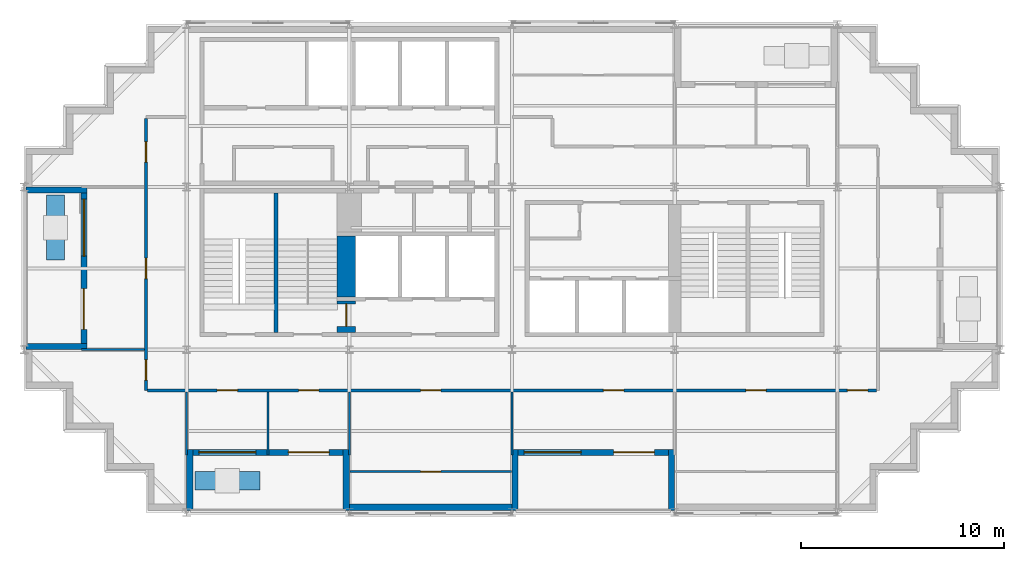
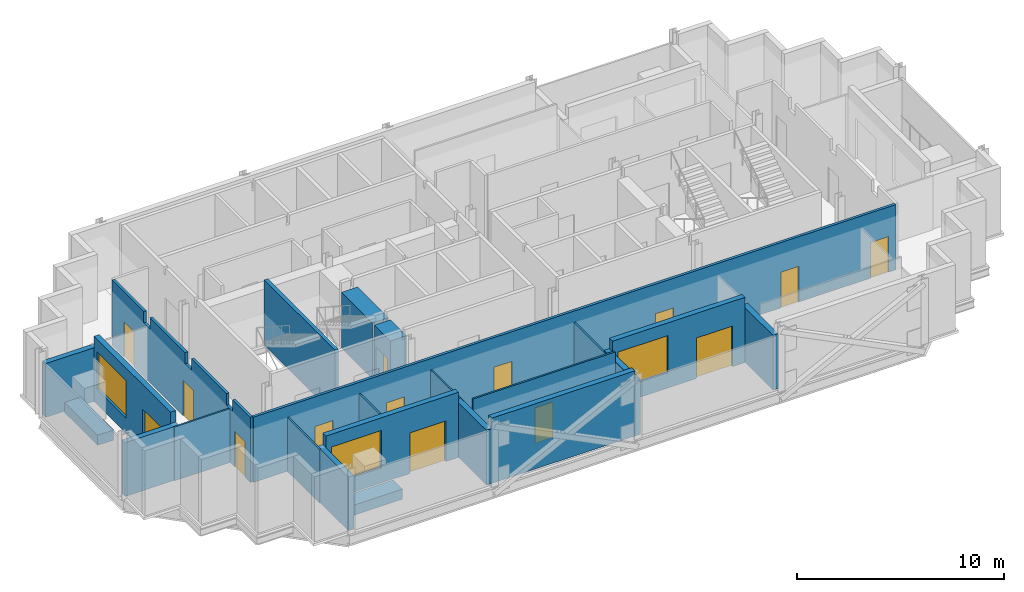
# One storey, part 4 of 10: 23 walls, 14 doors, 3 windows, 17 openings.
"""IFC4 building model written with IfcOpenShell, lengths in metres."""

from ifc_helpers import new_model, si_unit, direction, frame, frame_2d, origin, place, context, subcontext, project, spatial, polyline, rectangle, outline, extrude, material, layer, layer_set, type_object, element, fill, save


model = new_model("IFC4")

# Units and contexts
model_context = context("Model", 3, precision=1e-05, world=origin(), true_north=direction((0.0, 1.0)))
body_context = subcontext(model_context, "Body", "Model", "MODEL_VIEW")
ifc_project = project(units=[si_unit("LENGTHUNIT", "METRE"), si_unit("AREAUNIT", "SQUARE_METRE"), si_unit("VOLUMEUNIT", "CUBIC_METRE"), si_unit("PLANEANGLEUNIT", "RADIAN"), si_unit("MASSUNIT", "GRAM", prefix="KILO")], contexts=[model_context])

# Site, building, storey
site_placement = place(None, origin())
site = spatial("IfcSite", under=ifc_project, at=site_placement, CompositionType="ELEMENT")
building_placement = place(site_placement, origin())
building = spatial("IfcBuilding", under=site, at=building_placement, Name="Immortelle Media Tower", CompositionType="ELEMENT")
storey_placement = place(building_placement, frame((0.0, 0.0, 259.0)))
storey = spatial("IfcBuildingStorey", under=building, at=storey_placement, Name="L56", CompositionType="ELEMENT", Elevation=259.0)

# Wall, openings, doors
ifc_material_1 = material(Name="Fire-rated gypsum board", Category="gypsum")
ifc_layer_1 = layer(ifc_material_1, 0.012451171875)
ifc_material_2 = material(Name="Steel ASTM A653 SS Gr 50 stud frame with mineral wool", Category="steel")
ifc_layer_2 = layer(ifc_material_2, 0.125)
ifc_layer_3 = layer(ifc_material_1, 0.012451171875)
ifc_layer_set_1 = layer_set([ifc_layer_1, ifc_layer_2, ifc_layer_3], Name="Steel ASTM A653 SS Gr 50 stud frame with mineral wool")
wall_type_1 = type_object("IfcWallType", Name="Corridor wall 150", PredefinedType="PARTITIONING", material=ifc_layer_set_1)
wall_1_placement = place(storey_placement, frame((6.074951171875, 6.0, 0.0), z_axis=(0.0, 0.0, 1.0), x_axis=(1.0, 0.0, 0.0)))
wall_1 = element("IfcWall", 1, at=wall_1_placement, inside=storey, type_object=wall_type_1, Name="Partition L56-010", PredefinedType="PARTITIONING", context=body_context, shape_type="SweptSolid", body=[
    extrude(rectangle(XDim=35.85009765625, YDim=0.14990234375, at=frame_2d((17.925048828125, 0.0))), origin(), (0.0, 0.0, 1.0), 3.85009765625),
])
opening_1_placement = place(wall_1_placement, frame((14.425048828125, 0.0, 0.0), z_axis=(0.0, 0.0, 1.0), x_axis=(-1.0, 0.0, 0.0)))
opening_1 = element("IfcOpeningElement", 2, at=opening_1_placement, cuts=wall_1, Name="Opening X2-F001", PredefinedType="OPENING", context=body_context, shape_type="SweptSolid", body=[
    extrude(rectangle(XDim=1.0, YDim=2.10009765625, at=frame_2d((0.5, 1.050048828125))), frame((0.0, 0.0849609375, 0.0), z_axis=(0.0, -1.0, 0.0), x_axis=(1.0, 0.0, 0.0)), (0.0, 0.0, 1.0), 0.169921875),
])
opening_2_placement = place(wall_1_placement, frame((30.425048828125, 0.0, 0.0), z_axis=(0.0, 0.0, 1.0), x_axis=(-1.0, 0.0, 0.0)))
opening_2 = element("IfcOpeningElement", 3, at=opening_2_placement, cuts=wall_1, Name="Opening X2-F003", PredefinedType="OPENING", context=body_context, shape_type="SweptSolid", body=[
    extrude(rectangle(XDim=1.0, YDim=2.10009765625, at=frame_2d((0.5, 1.050048828125))), frame((0.0, 0.0849609375, 0.0), z_axis=(0.0, -1.0, 0.0), x_axis=(1.0, 0.0, 0.0)), (0.0, 0.0, 1.0), 0.169921875),
])
opening_3_placement = place(wall_1_placement, frame((4.425048828125, 0.0, 0.0), z_axis=(0.0, 0.0, 1.0), x_axis=(-1.0, 0.0, 0.0)))
opening_3 = element("IfcOpeningElement", 4, at=opening_3_placement, cuts=wall_1, Name="Opening X2-F005", PredefinedType="OPENING", context=body_context, shape_type="SweptSolid", body=[
    extrude(rectangle(XDim=1.0, YDim=2.10009765625, at=frame_2d((0.5, 1.050048828125))), frame((0.0, 0.0849609375, 0.0), z_axis=(0.0, -1.0, 0.0), x_axis=(1.0, 0.0, 0.0)), (0.0, 0.0, 1.0), 0.169921875),
])
opening_4_placement = place(wall_1_placement, frame((8.425048828125, 0.0, 0.0), z_axis=(0.0, 0.0, 1.0), x_axis=(-1.0, 0.0, 0.0)))
opening_4 = element("IfcOpeningElement", 5, at=opening_4_placement, cuts=wall_1, Name="Opening X2-F006", PredefinedType="OPENING", context=body_context, shape_type="SweptSolid", body=[
    extrude(rectangle(XDim=1.0, YDim=2.10009765625, at=frame_2d((0.5, 1.050048828125))), frame((0.0, 0.0849609375, 0.0), z_axis=(0.0, -1.0, 0.0), x_axis=(1.0, 0.0, 0.0)), (0.0, 0.0, 1.0), 0.169921875),
])
opening_5_placement = place(wall_1_placement, frame((23.425048828125, 0.0, 0.0), z_axis=(0.0, 0.0, 1.0), x_axis=(-1.0, 0.0, 0.0)))
opening_5 = element("IfcOpeningElement", 6, at=opening_5_placement, cuts=wall_1, Name="Opening X2-F007", PredefinedType="OPENING", context=body_context, shape_type="SweptSolid", body=[
    extrude(rectangle(XDim=1.0, YDim=2.10009765625, at=frame_2d((0.5, 1.050048828125))), frame((0.0, 0.0849609375, 0.0), z_axis=(0.0, -1.0, 0.0), x_axis=(1.0, 0.0, 0.0)), (0.0, 0.0, 1.0), 0.169921875),
])
opening_6_placement = place(wall_1_placement, frame((35.425048828125, 0.0, 0.0), z_axis=(0.0, 0.0, 1.0), x_axis=(-1.0, 0.0, 0.0)))
opening_6 = element("IfcOpeningElement", 7, at=opening_6_placement, cuts=wall_1, Name="Opening X2-F009", PredefinedType="OPENING", context=body_context, shape_type="SweptSolid", body=[
    extrude(rectangle(XDim=1.0, YDim=2.10009765625, at=frame_2d((0.5, 1.050048828125))), frame((0.0, 0.0849609375, 0.0), z_axis=(0.0, -1.0, 0.0), x_axis=(1.0, 0.0, 0.0)), (0.0, 0.0, 1.0), 0.169921875),
])
ifc_material_3 = material(Name="Timber veneered door leaf, galvanised steel frame ASTM A653", Category="steel")
door_type_1 = type_object("IfcDoorType", Name="Room door 1000 x 2100", OperationType="NOTDEFINED", PredefinedType="DOOR", material=ifc_material_3)
door_1_placement = place(opening_1_placement, origin())
door_1 = element("IfcDoor", 8, at=door_1_placement, inside=storey, type_object=door_type_1, Name="Door X2-F001", OperationType="SINGLE_SWING_RIGHT", OverallHeight=2.10009765625, OverallWidth=1.0, PredefinedType="DOOR", context=body_context, shape_type="SweptSolid", body=[
    extrude(rectangle(XDim=1.0, YDim=2.10009765625, at=frame_2d((0.5, 1.050048828125))), frame((0.0, 0.02490234375, 0.0), z_axis=(0.0, -1.0, 0.0), x_axis=(1.0, 0.0, 0.0)), (0.0, 0.0, 1.0), 0.050048828125),
])
fill(opening_1, door_1)
door_2_placement = place(opening_2_placement, origin())
door_2 = element("IfcDoor", 9, at=door_2_placement, inside=storey, type_object=door_type_1, Name="Door X2-F003", OperationType="SINGLE_SWING_RIGHT", OverallHeight=2.10009765625, OverallWidth=1.0, PredefinedType="DOOR", context=body_context, shape_type="SweptSolid", body=[
    extrude(rectangle(XDim=1.0, YDim=2.10009765625, at=frame_2d((0.5, 1.050048828125))), frame((0.0, 0.02490234375, 0.0), z_axis=(0.0, -1.0, 0.0), x_axis=(1.0, 0.0, 0.0)), (0.0, 0.0, 1.0), 0.050048828125),
])
fill(opening_2, door_2)
door_3_placement = place(opening_3_placement, origin())
door_3 = element("IfcDoor", 10, at=door_3_placement, inside=storey, type_object=door_type_1, Name="Door X2-F005", OperationType="SINGLE_SWING_LEFT", OverallHeight=2.10009765625, OverallWidth=1.0, PredefinedType="DOOR", context=body_context, shape_type="SweptSolid", body=[
    extrude(rectangle(XDim=1.0, YDim=2.10009765625, at=frame_2d((0.5, 1.050048828125))), frame((0.0, 0.02490234375, 0.0), z_axis=(0.0, -1.0, 0.0), x_axis=(1.0, 0.0, 0.0)), (0.0, 0.0, 1.0), 0.050048828125),
])
fill(opening_3, door_3)
door_4_placement = place(opening_4_placement, origin())
door_4 = element("IfcDoor", 11, at=door_4_placement, inside=storey, type_object=door_type_1, Name="Door X2-F006", OperationType="SINGLE_SWING_LEFT", OverallHeight=2.10009765625, OverallWidth=1.0, PredefinedType="DOOR", context=body_context, shape_type="SweptSolid", body=[
    extrude(rectangle(XDim=1.0, YDim=2.10009765625, at=frame_2d((0.5, 1.050048828125))), frame((0.0, 0.02490234375, 0.0), z_axis=(0.0, -1.0, 0.0), x_axis=(1.0, 0.0, 0.0)), (0.0, 0.0, 1.0), 0.050048828125),
])
fill(opening_4, door_4)
door_5_placement = place(opening_5_placement, origin())
door_5 = element("IfcDoor", 12, at=door_5_placement, inside=storey, type_object=door_type_1, Name="Door X2-F007", OperationType="SINGLE_SWING_LEFT", OverallHeight=2.10009765625, OverallWidth=1.0, PredefinedType="DOOR", context=body_context, shape_type="SweptSolid", body=[
    extrude(rectangle(XDim=1.0, YDim=2.10009765625, at=frame_2d((0.5, 1.050048828125))), frame((0.0, 0.02490234375, 0.0), z_axis=(0.0, -1.0, 0.0), x_axis=(1.0, 0.0, 0.0)), (0.0, 0.0, 1.0), 0.050048828125),
])
fill(opening_5, door_5)
door_6_placement = place(opening_6_placement, origin())
door_6 = element("IfcDoor", 13, at=door_6_placement, inside=storey, type_object=door_type_1, Name="Door X2-F009", OperationType="SINGLE_SWING_RIGHT", OverallHeight=2.10009765625, OverallWidth=1.0, PredefinedType="DOOR", context=body_context, shape_type="SweptSolid", body=[
    extrude(rectangle(XDim=1.0, YDim=2.10009765625, at=frame_2d((0.5, 1.050048828125))), frame((0.0, 0.02490234375, 0.0), z_axis=(0.0, -1.0, 0.0), x_axis=(1.0, 0.0, 0.0)), (0.0, 0.0, 1.0), 0.050048828125),
])
fill(opening_6, door_6)

wall_2_placement = place(storey_placement, frame((6.0, 6.0, 0.0), z_axis=(0.0, 0.0, 1.0), x_axis=(0.0, 1.0, 0.0)))
wall_2 = element("IfcWall", 14, at=wall_2_placement, inside=storey, type_object=wall_type_1, Name="Partition L56-011", PredefinedType="PARTITIONING", context=body_context, shape_type="SweptSolid", body=[
    extrude(outline(polyline([(0.0, 0.0), (13.375, 0.0), (13.375, 3.85009765625), (10.300048828125, 3.85009765625), (10.298095703125, 3.172119140625), (9.701904296875, 3.172119140625), (9.699951171875, 3.85009765625), (6.300048828125, 3.85009765625), (6.298095703125, 3.172119140625), (5.701904296875, 3.172119140625), (5.699951171875, 3.85009765625), (2.300048828125, 3.85009765625), (2.298095703125, 3.172119140625), (1.701904296875, 3.172119140625), (1.699951171875, 3.85009765625), (0.0, 3.85009765625), (0.0, 0.0)])), frame((0.0, 0.074951171875, 0.0), z_axis=(0.0, -1.0, 0.0), x_axis=(1.0, 0.0, 0.0)), (0.0, 0.0, 1.0), 0.14990234375),
])
opening_7_placement = place(wall_2_placement, frame((0.5, 0.0, 0.0)))
opening_7 = element("IfcOpeningElement", 15, at=opening_7_placement, cuts=wall_2, Name="Opening X2-F008", PredefinedType="OPENING", context=body_context, shape_type="SweptSolid", body=[
    extrude(rectangle(XDim=1.0, YDim=2.10009765625, at=frame_2d((0.5, 1.050048828125))), frame((0.0, 0.0849609375, 0.0), z_axis=(0.0, -1.0, 0.0), x_axis=(1.0, 0.0, 0.0)), (0.0, 0.0, 1.0), 0.169921875),
])
opening_8_placement = place(wall_2_placement, frame((5.5, 0.0, 0.0)))
opening_8 = element("IfcOpeningElement", 16, at=opening_8_placement, cuts=wall_2, Name="Opening X2-F010", PredefinedType="OPENING", context=body_context, shape_type="SweptSolid", body=[
    extrude(rectangle(XDim=1.0, YDim=2.10009765625, at=frame_2d((0.5, 1.050048828125))), frame((0.0, 0.0849609375, 0.0), z_axis=(0.0, -1.0, 0.0), x_axis=(1.0, 0.0, 0.0)), (0.0, 0.0, 1.0), 0.169921875),
])
opening_9_placement = place(wall_2_placement, frame((11.22509765625, 0.0, 0.0)))
opening_9 = element("IfcOpeningElement", 17, at=opening_9_placement, cuts=wall_2, Name="Opening X2-F012", PredefinedType="OPENING", context=body_context, shape_type="SweptSolid", body=[
    extrude(rectangle(XDim=1.0, YDim=2.10009765625, at=frame_2d((0.5, 1.050048828125))), frame((0.0, 0.0849609375, 0.0), z_axis=(0.0, -1.0, 0.0), x_axis=(1.0, 0.0, 0.0)), (0.0, 0.0, 1.0), 0.169921875),
])
door_7_placement = place(opening_7_placement, origin())
door_7 = element("IfcDoor", 18, at=door_7_placement, inside=storey, type_object=door_type_1, Name="Door X2-F008", OperationType="SINGLE_SWING_RIGHT", OverallHeight=2.10009765625, OverallWidth=1.0, PredefinedType="DOOR", context=body_context, shape_type="SweptSolid", body=[
    extrude(rectangle(XDim=1.0, YDim=2.10009765625, at=frame_2d((0.5, 1.050048828125))), frame((0.0, 0.02490234375, 0.0), z_axis=(0.0, -1.0, 0.0), x_axis=(1.0, 0.0, 0.0)), (0.0, 0.0, 1.0), 0.050048828125),
])
fill(opening_7, door_7)
door_8_placement = place(opening_8_placement, origin())
door_8 = element("IfcDoor", 19, at=door_8_placement, inside=storey, type_object=door_type_1, Name="Door X2-F010", OperationType="SINGLE_SWING_RIGHT", OverallHeight=2.10009765625, OverallWidth=1.0, PredefinedType="DOOR", context=body_context, shape_type="SweptSolid", body=[
    extrude(rectangle(XDim=1.0, YDim=2.10009765625, at=frame_2d((0.5, 1.050048828125))), frame((0.0, 0.02490234375, 0.0), z_axis=(0.0, -1.0, 0.0), x_axis=(1.0, 0.0, 0.0)), (0.0, 0.0, 1.0), 0.050048828125),
])
fill(opening_8, door_8)
door_9_placement = place(opening_9_placement, origin())
door_9 = element("IfcDoor", 20, at=door_9_placement, inside=storey, type_object=door_type_1, Name="Door X2-F012", OperationType="SINGLE_SWING_LEFT", OverallHeight=2.10009765625, OverallWidth=1.0, PredefinedType="DOOR", context=body_context, shape_type="SweptSolid", body=[
    extrude(rectangle(XDim=1.0, YDim=2.10009765625, at=frame_2d((0.5, 1.050048828125))), frame((0.0, 0.02490234375, 0.0), z_axis=(0.0, -1.0, 0.0), x_axis=(1.0, 0.0, 0.0)), (0.0, 0.0, 1.0), 0.050048828125),
])
fill(opening_9, door_9)

# Wall, openings, door, window
ifc_material_4 = material(Name="Pale aluminium cladding panel", Category="aluminium")
ifc_layer_4 = layer(ifc_material_4, 0.030029296875)
ifc_layer_5 = layer(ifc_material_2, 0.257568359375)
ifc_material_5 = material(Name="Moisture-resistant gypsum board", Category="gypsum")
ifc_layer_6 = layer(ifc_material_5, 0.012451171875)
ifc_layer_set_2 = layer_set([ifc_layer_4, ifc_layer_5, ifc_layer_6], Name="Steel ASTM A653 SS Gr 50 stud frame with mineral wool")
wall_type_2 = type_object("IfcWallType", Name="Facade wall 300", PredefinedType="SOLIDWALL", material=ifc_layer_set_2)
wall_3_placement = place(storey_placement, frame((8.300048828125, 2.949951171875, 0.0), z_axis=(0.0, 0.0, 1.0), x_axis=(1.0, 0.0, 0.0)))
wall_3 = element("IfcWall", 21, at=wall_3_placement, inside=storey, type_object=wall_type_2, Name="Loggia wall L56 S6", PredefinedType="SOLIDWALL", context=body_context, shape_type="SweptSolid", body=[
    extrude(rectangle(XDim=7.39990234375, YDim=0.300048828125, at=frame_2d((3.699951171875, 0.0))), origin(), (0.0, 0.0, 1.0), 3.85009765625),
])
opening_10_placement = place(wall_3_placement, frame((0.300048828125, 0.0, 0.89990234375)))
opening_10 = element("IfcOpeningElement", 22, at=opening_10_placement, cuts=wall_3, Name="Opening W1", PredefinedType="OPENING", context=body_context, shape_type="SweptSolid", body=[
    extrude(rectangle(XDim=2.800048828125, YDim=2.199951171875, at=frame_2d((1.39990234375, 1.10009765625))), frame((0.0, 0.159912109375, 0.0), z_axis=(0.0, -1.0, 0.0), x_axis=(1.0, 0.0, 0.0)), (0.0, 0.0, 1.0), 0.320068359375),
])
opening_11_placement = place(wall_3_placement, frame((4.699951171875, 0.0, 0.0)))
opening_11 = element("IfcOpeningElement", 23, at=opening_11_placement, cuts=wall_3, Name="Opening X2-E001", PredefinedType="OPENING", context=body_context, shape_type="SweptSolid", body=[
    extrude(rectangle(XDim=2.0, YDim=2.39990234375, at=frame_2d((1.0, 1.199951171875))), frame((0.0, 0.159912109375, 0.0), z_axis=(0.0, -1.0, 0.0), x_axis=(1.0, 0.0, 0.0)), (0.0, 0.0, 1.0), 0.320068359375),
])
ifc_material_6 = material(Name="Aluminium frame, glazed leaves", Category="aluminium")
door_type_2 = type_object("IfcDoorType", Name="Loggia door 2000 x 2400", OperationType="DOUBLE_DOOR_SINGLE_SWING", PredefinedType="DOOR", material=ifc_material_6)
door_10_placement = place(opening_11_placement, origin())
door_10 = element("IfcDoor", 24, at=door_10_placement, inside=storey, type_object=door_type_2, Name="Door X2-E001", OperationType="DOUBLE_DOOR_SINGLE_SWING", OverallHeight=2.39990234375, OverallWidth=2.0, PredefinedType="DOOR", context=body_context, shape_type="SweptSolid", body=[
    extrude(rectangle(XDim=2.0, YDim=2.39990234375, at=frame_2d((1.0, 1.199951171875))), frame((0.0, 0.02490234375, 0.0), z_axis=(0.0, -1.0, 0.0), x_axis=(1.0, 0.0, 0.0)), (0.0, 0.0, 1.0), 0.050048828125),
])
fill(opening_11, door_10)
ifc_material_7 = material(Name="Aluminium frame", Category="aluminium")
window_type = type_object("IfcWindowType", Name="Window 2800 x 2200", PartitioningType="SINGLE_PANEL", PredefinedType="WINDOW", material=ifc_material_7)
window_1_placement = place(opening_10_placement, origin())
window_1 = element("IfcWindow", 25, at=window_1_placement, inside=storey, type_object=window_type, Name="Window L56 L56-R6-B0", OverallHeight=2.199951171875, OverallWidth=2.800048828125, PartitioningType="SINGLE_PANEL", PredefinedType="WINDOW", context=body_context, shape_type="SweptSolid", body=[
    extrude(rectangle(XDim=2.800048828125, YDim=2.199951171875, at=frame_2d((1.39990234375, 1.10009765625))), frame((0.0, 0.030029296875, 0.0), z_axis=(0.0, -1.0, 0.0), x_axis=(1.0, 0.0, 0.0)), (0.0, 0.0, 1.0), 0.06005859375),
])
fill(opening_10, window_1)

# Walls
wall_4_placement = place(storey_placement, frame((8.14990234375, 0.10009765625, 0.0), z_axis=(0.0, 0.0, 1.0), x_axis=(0.0, 1.0, 0.0)))
element("IfcWall", 26, at=wall_4_placement, inside=storey, type_object=wall_type_2, Name="Loggia cheek wall L56 S", PredefinedType="SOLIDWALL", context=body_context, shape_type="SweptSolid", body=[
    extrude(rectangle(XDim=3.0, YDim=0.300048828125, at=frame_2d((1.5, 0.0))), origin(), (0.0, 0.0, 1.0), 3.1708984375),
])
wall_5_placement = place(storey_placement, frame((15.85009765625, 0.10009765625, 0.0), z_axis=(0.0, 0.0, 1.0), x_axis=(0.0, 1.0, 0.0)))
element("IfcWall", 27, at=wall_5_placement, inside=storey, type_object=wall_type_2, Name="Loggia cheek wall L56 S", PredefinedType="SOLIDWALL", context=body_context, shape_type="SweptSolid", body=[
    extrude(rectangle(XDim=3.0, YDim=0.300048828125, at=frame_2d((1.5, 0.0))), origin(), (0.0, 0.0, 1.0), 3.237060546875),
])
wall_6_placement = place(storey_placement, frame((16.0, 0.25, 0.0), z_axis=(0.0, 0.0, 1.0), x_axis=(1.0, 0.0, 0.0)))
element("IfcWall", 28, at=wall_6_placement, inside=storey, type_object=wall_type_2, Name="Facade wall L56 S6", PredefinedType="SOLIDWALL", context=body_context, shape_type="SweptSolid", body=[
    extrude(rectangle(XDim=8.0, YDim=0.300048828125, at=frame_2d((4.0, 0.0))), origin(), (0.0, 0.0, 1.0), 3.85009765625),
])

# Wall, openings, door, window
wall_7_placement = place(storey_placement, frame((24.300048828125, 2.949951171875, 0.0), z_axis=(0.0, 0.0, 1.0), x_axis=(1.0, 0.0, 0.0)))
wall_7 = element("IfcWall", 29, at=wall_7_placement, inside=storey, type_object=wall_type_2, Name="Loggia wall L56 S6", PredefinedType="SOLIDWALL", context=body_context, shape_type="SweptSolid", body=[
    extrude(rectangle(XDim=7.39990234375, YDim=0.300048828125, at=frame_2d((3.699951171875, 0.0))), origin(), (0.0, 0.0, 1.0), 3.85009765625),
])
opening_12_placement = place(wall_7_placement, frame((0.300048828125, 0.0, 0.89990234375)))
opening_12 = element("IfcOpeningElement", 30, at=opening_12_placement, cuts=wall_7, Name="Opening W1", PredefinedType="OPENING", context=body_context, shape_type="SweptSolid", body=[
    extrude(rectangle(XDim=2.800048828125, YDim=2.199951171875, at=frame_2d((1.39990234375, 1.10009765625))), frame((0.0, 0.159912109375, 0.0), z_axis=(0.0, -1.0, 0.0), x_axis=(1.0, 0.0, 0.0)), (0.0, 0.0, 1.0), 0.320068359375),
])
opening_13_placement = place(wall_7_placement, frame((4.699951171875, 0.0, 0.0)))
opening_13 = element("IfcOpeningElement", 31, at=opening_13_placement, cuts=wall_7, Name="Opening X2-E002", PredefinedType="OPENING", context=body_context, shape_type="SweptSolid", body=[
    extrude(rectangle(XDim=2.0, YDim=2.39990234375, at=frame_2d((1.0, 1.199951171875))), frame((0.0, 0.159912109375, 0.0), z_axis=(0.0, -1.0, 0.0), x_axis=(1.0, 0.0, 0.0)), (0.0, 0.0, 1.0), 0.320068359375),
])
door_11_placement = place(opening_13_placement, origin())
door_11 = element("IfcDoor", 32, at=door_11_placement, inside=storey, type_object=door_type_2, Name="Door X2-E002", OperationType="DOUBLE_DOOR_SINGLE_SWING", OverallHeight=2.39990234375, OverallWidth=2.0, PredefinedType="DOOR", context=body_context, shape_type="SweptSolid", body=[
    extrude(rectangle(XDim=2.0, YDim=2.39990234375, at=frame_2d((1.0, 1.199951171875))), frame((0.0, 0.02490234375, 0.0), z_axis=(0.0, -1.0, 0.0), x_axis=(1.0, 0.0, 0.0)), (0.0, 0.0, 1.0), 0.050048828125),
])
fill(opening_13, door_11)
window_2_placement = place(opening_12_placement, origin())
window_2 = element("IfcWindow", 33, at=window_2_placement, inside=storey, type_object=window_type, Name="Window L56 L56-R6-B2", OverallHeight=2.199951171875, OverallWidth=2.800048828125, PartitioningType="SINGLE_PANEL", PredefinedType="WINDOW", context=body_context, shape_type="SweptSolid", body=[
    extrude(rectangle(XDim=2.800048828125, YDim=2.199951171875, at=frame_2d((1.39990234375, 1.10009765625))), frame((0.0, 0.030029296875, 0.0), z_axis=(0.0, -1.0, 0.0), x_axis=(1.0, 0.0, 0.0)), (0.0, 0.0, 1.0), 0.06005859375),
])
fill(opening_12, window_2)

# Walls
for number, where, z_axis, x_axis, name in (
    (34, (24.14990234375, 0.10009765625, 0.0), (0.0, 0.0, 1.0), (0.0, 1.0, 0.0), "Loggia cheek wall L56 S"),
    (35, (31.85009765625, 0.10009765625, 0.0), (0.0, 0.0, 1.0), (0.0, 1.0, 0.0), "Loggia cheek wall L56 S"),
):
    element("IfcWall", number, at=place(storey_placement, frame(where, z_axis=z_axis, x_axis=x_axis)), inside=storey, type_object=wall_type_2, Name=name, PredefinedType="SOLIDWALL", context=body_context, shape_type="SweptSolid", body=[
        extrude(rectangle(XDim=3.0, YDim=0.300048828125, at=frame_2d((1.5, 0.0))), origin(), (0.0, 0.0, 1.0), 3.237060546875),
    ])

# Wall, openings, door, window
wall_8_placement = place(storey_placement, frame((2.949951171875, 15.699951171875, 0.0), z_axis=(0.0, 0.0, 1.0), x_axis=(0.0, -1.0, 0.0)))
wall_8 = element("IfcWall", 36, at=wall_8_placement, inside=storey, type_object=wall_type_2, Name="Loggia wall L56 W27", PredefinedType="SOLIDWALL", context=body_context, shape_type="SweptSolid", body=[
    extrude(rectangle(XDim=7.39990234375, YDim=0.300048828125, at=frame_2d((3.699951171875, 0.0))), origin(), (0.0, 0.0, 1.0), 3.85009765625),
])
opening_14_placement = place(wall_8_placement, frame((0.300048828125, 0.0, 0.89990234375)))
opening_14 = element("IfcOpeningElement", 37, at=opening_14_placement, cuts=wall_8, Name="Opening W1", PredefinedType="OPENING", context=body_context, shape_type="SweptSolid", body=[
    extrude(rectangle(XDim=2.800048828125, YDim=2.199951171875, at=frame_2d((1.39990234375, 1.10009765625))), frame((0.0, 0.159912109375, 0.0), z_axis=(0.0, -1.0, 0.0), x_axis=(1.0, 0.0, 0.0)), (0.0, 0.0, 1.0), 0.320068359375),
])
opening_15_placement = place(wall_8_placement, frame((4.699951171875, 0.0, 0.0)))
opening_15 = element("IfcOpeningElement", 38, at=opening_15_placement, cuts=wall_8, Name="Opening X2-E006", PredefinedType="OPENING", context=body_context, shape_type="SweptSolid", body=[
    extrude(rectangle(XDim=2.0, YDim=2.39990234375, at=frame_2d((1.0, 1.199951171875))), frame((0.0, 0.159912109375, 0.0), z_axis=(0.0, -1.0, 0.0), x_axis=(1.0, 0.0, 0.0)), (0.0, 0.0, 1.0), 0.320068359375),
])
door_12_placement = place(opening_15_placement, origin())
door_12 = element("IfcDoor", 39, at=door_12_placement, inside=storey, type_object=door_type_2, Name="Door X2-E006", OperationType="DOUBLE_DOOR_SINGLE_SWING", OverallHeight=2.39990234375, OverallWidth=2.0, PredefinedType="DOOR", context=body_context, shape_type="SweptSolid", body=[
    extrude(rectangle(XDim=2.0, YDim=2.39990234375, at=frame_2d((1.0, 1.199951171875))), frame((0.0, 0.02490234375, 0.0), z_axis=(0.0, -1.0, 0.0), x_axis=(1.0, 0.0, 0.0)), (0.0, 0.0, 1.0), 0.050048828125),
])
fill(opening_15, door_12)
window_3_placement = place(opening_14_placement, origin())
window_3 = element("IfcWindow", 40, at=window_3_placement, inside=storey, type_object=window_type, Name="Window L56 L56-R27-B0", OverallHeight=2.199951171875, OverallWidth=2.800048828125, PartitioningType="SINGLE_PANEL", PredefinedType="WINDOW", context=body_context, shape_type="SweptSolid", body=[
    extrude(rectangle(XDim=2.800048828125, YDim=2.199951171875, at=frame_2d((1.39990234375, 1.10009765625))), frame((0.0, 0.030029296875, 0.0), z_axis=(0.0, -1.0, 0.0), x_axis=(1.0, 0.0, 0.0)), (0.0, 0.0, 1.0), 0.06005859375),
])
fill(opening_14, window_3)

# Walls
for number, where, z_axis, x_axis, name in (
    (41, (0.10009765625, 15.85009765625, 0.0), (0.0, 0.0, 1.0), (1.0, 0.0, 0.0), "Loggia cheek wall L56 W"),
    (42, (0.10009765625, 8.14990234375, 0.0), (0.0, 0.0, 1.0), (1.0, 0.0, 0.0), "Loggia cheek wall L56 W"),
):
    element("IfcWall", number, at=place(storey_placement, frame(where, z_axis=z_axis, x_axis=x_axis)), inside=storey, type_object=wall_type_2, Name=name, PredefinedType="SOLIDWALL", context=body_context, shape_type="SweptSolid", body=[
        extrude(rectangle(XDim=3.0, YDim=0.300048828125, at=frame_2d((1.5, 0.0))), origin(), (0.0, 0.0, 1.0), 3.1708984375),
    ])

# Wall, opening, door
ifc_material_8 = material(Name="Gypsum board", Category="gypsum")
ifc_layer_7 = layer(ifc_material_8, 0.012451171875)
ifc_layer_8 = layer(ifc_material_2, 0.074951171875)
ifc_layer_9 = layer(ifc_material_8, 0.012451171875)
ifc_layer_set_3 = layer_set([ifc_layer_7, ifc_layer_8, ifc_layer_9], Name="Steel ASTM A653 SS Gr 50 stud frame with mineral wool")
wall_type_3 = type_object("IfcWallType", Name="Partition 100", PredefinedType="PARTITIONING", material=ifc_layer_set_3)
wall_9_placement = place(storey_placement, frame((16.030029296875, 2.0, 0.0), z_axis=(0.0, 0.0, 1.0), x_axis=(1.0, 0.0, 0.0)))
wall_9 = element("IfcWall", 43, at=wall_9_placement, inside=storey, type_object=wall_type_3, Name="Partition L56-002", PredefinedType="PARTITIONING", context=body_context, shape_type="SweptSolid", body=[
    extrude(rectangle(XDim=7.93994140625, YDim=0.10009765625, at=frame_2d((3.969970703125, 0.0))), origin(), (0.0, 0.0, 1.0), 3.85009765625),
])
opening_16_placement = place(wall_9_placement, frame((4.469970703125, 0.0, 0.0), z_axis=(0.0, 0.0, 1.0), x_axis=(-1.0, 0.0, 0.0)))
opening_16 = element("IfcOpeningElement", 44, at=opening_16_placement, cuts=wall_9, Name="Opening X2-F002", PredefinedType="OPENING", context=body_context, shape_type="SweptSolid", body=[
    extrude(rectangle(XDim=1.0, YDim=2.10009765625, at=frame_2d((0.5, 1.050048828125))), frame((0.0, 0.06005859375, 0.0), z_axis=(0.0, -1.0, 0.0), x_axis=(1.0, 0.0, 0.0)), (0.0, 0.0, 1.0), 0.1201171875),
])
door_13_placement = place(opening_16_placement, origin())
door_13 = element("IfcDoor", 45, at=door_13_placement, inside=storey, type_object=door_type_1, Name="Door X2-F002", OperationType="SINGLE_SWING_LEFT", OverallHeight=2.10009765625, OverallWidth=1.0, PredefinedType="DOOR", context=body_context, shape_type="SweptSolid", body=[
    extrude(rectangle(XDim=1.0, YDim=2.10009765625, at=frame_2d((0.5, 1.050048828125))), frame((0.0, 0.02490234375, 0.0), z_axis=(0.0, -1.0, 0.0), x_axis=(1.0, 0.0, 0.0)), (0.0, 0.0, 1.0), 0.050048828125),
])
fill(opening_16, door_13)

# Walls
for number, where, z_axis, x_axis, name in (
    (46, (8.0, 2.830078125, 0.0), (0.0, 0.0, 1.0), (0.0, 1.0, 0.0), "Partition L56-005"),
    (47, (12.0, 2.830078125, 0.0), (0.0, 0.0, 1.0), (0.0, 1.0, 0.0), "Partition L56-006"),
    (48, (16.0, 2.830078125, 0.0), (0.0, 0.0, 1.0), (0.0, 1.0, 0.0), "Partition L56-007"),
    (49, (24.0, 2.830078125, 0.0), (0.0, 0.0, 1.0), (0.0, 1.0, 0.0), "Partition L56-008"),
    (50, (2.830078125, 8.0, 0.0), (0.0, 0.0, 1.0), (1.0, 0.0, 0.0), "Partition L56-013"),
):
    element("IfcWall", number, at=place(storey_placement, frame(where, z_axis=z_axis, x_axis=x_axis)), inside=storey, type_object=wall_type_3, Name=name, PredefinedType="PARTITIONING", context=body_context, shape_type="SweptSolid", body=[
        extrude(rectangle(XDim=3.094970703125, YDim=0.10009765625, at=frame_2d((1.54736328125, 0.0))), origin(), (0.0, 0.0, 1.0), 3.172119140625),
    ])
ifc_layer_10 = layer(ifc_material_4, 0.0029296875)
ifc_material_9 = material(Name="Steel ASTM A572 Gr 50 planter shell", Category="steel")
ifc_layer_11 = layer(ifc_material_9, 0.011962890625)
ifc_material_10 = material(Name="Planting substrate", Category="soil")
ifc_layer_12 = layer(ifc_material_10, 0.873046875)
ifc_layer_13 = layer(ifc_material_9, 0.011962890625)
ifc_layer_set_4 = layer_set([ifc_layer_10, ifc_layer_11, ifc_layer_12, ifc_layer_13], Name="Steel ASTM A572 Gr 50 planter shell")
wall_type_4 = type_object("IfcWallType", Name="Planter wall 900", PredefinedType="SOLIDWALL", material=ifc_layer_set_4)
for number, where, z_axis, x_axis, name in (
    (51, (8.39990234375, 1.550048828125, 0.0), (0.0, 0.0, 1.0), (1.0, 0.0, 0.0), "Planter L56 S0"),
    (52, (1.550048828125, 15.60009765625, 0.0), (0.0, 0.0, 1.0), (0.0, -1.0, 0.0), "Planter L56 W0"),
):
    element("IfcWall", number, at=place(storey_placement, frame(where, z_axis=z_axis, x_axis=x_axis)), inside=storey, type_object=wall_type_4, Name=name, PredefinedType="SOLIDWALL", context=body_context, shape_type="SweptSolid", body=[
        extrude(rectangle(XDim=3.2001953125, YDim=0.89990234375, at=frame_2d((1.60009765625, 0.0))), origin(), (0.0, 0.0, 1.0), 0.60009765625),
    ])
ifc_material_11 = material(Name="Concrete C60", Category="concrete")
ifc_layer_14 = layer(ifc_material_11, 0.199951171875)
ifc_layer_set_5 = layer_set([ifc_layer_14], Name="Concrete C60")
wall_type_5 = type_object("IfcWallType", Name="Stair shaft wall 200", PredefinedType="PARTITIONING", material=ifc_layer_set_5)
wall_10_placement = place(storey_placement, frame((12.39990234375, 8.85009765625, 0.0), z_axis=(0.0, 0.0, 1.0), x_axis=(0.0, 1.0, 0.0)))
element("IfcWall", 53, at=wall_10_placement, inside=storey, type_object=wall_type_5, Name="Stair shaft wall SW", PredefinedType="PARTITIONING", context=body_context, shape_type="SweptSolid", body=[
    extrude(rectangle(XDim=6.849853515625, YDim=0.199951171875, at=frame_2d((3.4248046875, 0.0))), origin(), (0.0, 0.0, 1.0), 3.85009765625),
])

# Wall, opening, door
ifc_layer_15 = layer(ifc_material_11, 0.89990234375)
ifc_layer_set_6 = layer_set([ifc_layer_15], Name="Concrete C60")
wall_type_6 = type_object("IfcWallType", Name="Stair shaft wall 900", PredefinedType="PARTITIONING", material=ifc_layer_set_6)
wall_11_placement = place(storey_placement, frame((15.85009765625, 8.85009765625, 0.0), z_axis=(0.0, 0.0, 1.0), x_axis=(0.0, 1.0, 0.0)))
wall_11 = element("IfcWall", 54, at=wall_11_placement, inside=storey, type_object=wall_type_6, Name="Stair shaft wall SW", PredefinedType="PARTITIONING", context=body_context, shape_type="SweptSolid", body=[
    extrude(rectangle(XDim=1.5498046875, YDim=0.89990234375, at=frame_2d((0.77490234375, 0.0))), origin(), (0.0, 0.0, 1.0), 3.30810546875),
])
opening_17_placement = place(wall_11_placement, frame((0.300048828125, 0.0, 0.0)))
opening_17 = element("IfcOpeningElement", 55, at=opening_17_placement, cuts=wall_11, Name="Opening X2-K007", PredefinedType="OPENING", context=body_context, shape_type="SweptSolid", body=[
    extrude(rectangle(XDim=1.10009765625, YDim=2.10009765625, at=frame_2d((0.550048828125, 1.050048828125))), frame((0.0, 0.4599609375, 0.0), z_axis=(0.0, -1.0, 0.0), x_axis=(1.0, 0.0, 0.0)), (0.0, 0.0, 1.0), 0.919921875),
])
ifc_material_12 = material(Name="Galvanised steel door leaf and frame ASTM A653", Category="steel")
door_type_3 = type_object("IfcDoorType", Name="Stair lobby door 1100 x 2100", OperationType="NOTDEFINED", PredefinedType="NOTDEFINED", material=ifc_material_12)
door_14_placement = place(opening_17_placement, origin())
door_14 = element("IfcDoor", 56, at=door_14_placement, inside=storey, type_object=door_type_3, Name="Stair lobby X2-K007", OperationType="SINGLE_SWING_LEFT", OverallHeight=2.10009765625, OverallWidth=1.10009765625, PredefinedType="NOTDEFINED", context=body_context, shape_type="SweptSolid", body=[
    extrude(rectangle(XDim=1.10009765625, YDim=2.10009765625, at=frame_2d((0.550048828125, 1.050048828125))), frame((0.0, 0.02490234375, 0.0), z_axis=(0.0, -1.0, 0.0), x_axis=(1.0, 0.0, 0.0)), (0.0, 0.0, 1.0), 0.050048828125),
])
fill(opening_17, door_14)

# Wall
wall_12_placement = place(storey_placement, frame((15.85009765625, 10.60009765625, 0.0), z_axis=(0.0, 0.0, 1.0), x_axis=(0.0, 1.0, 0.0)))
element("IfcWall", 57, at=wall_12_placement, inside=storey, type_object=wall_type_6, Name="Stair shaft wall SW", PredefinedType="PARTITIONING", context=body_context, shape_type="SweptSolid", body=[
    extrude(rectangle(XDim=3.0, YDim=0.89990234375, at=frame_2d((1.5, 0.0))), origin(), (0.0, 0.0, 1.0), 3.30810546875),
])

save(model, "model.ifc")
